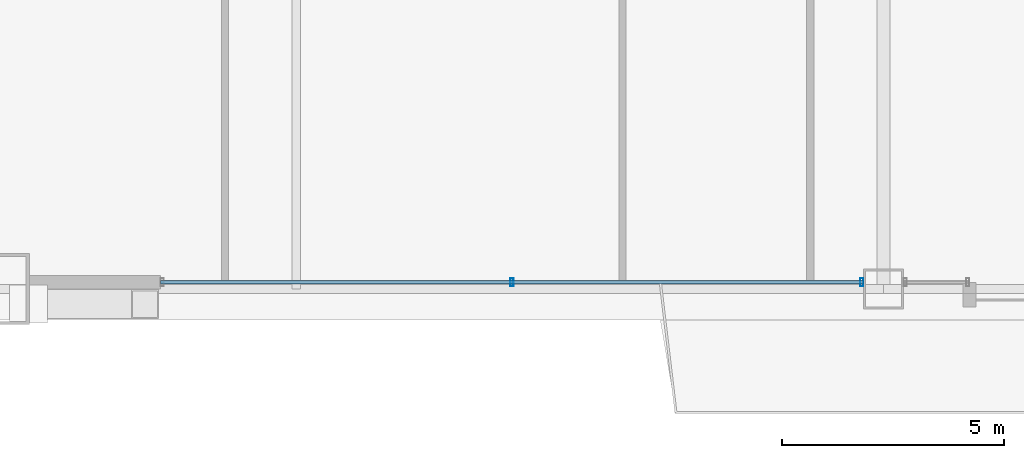
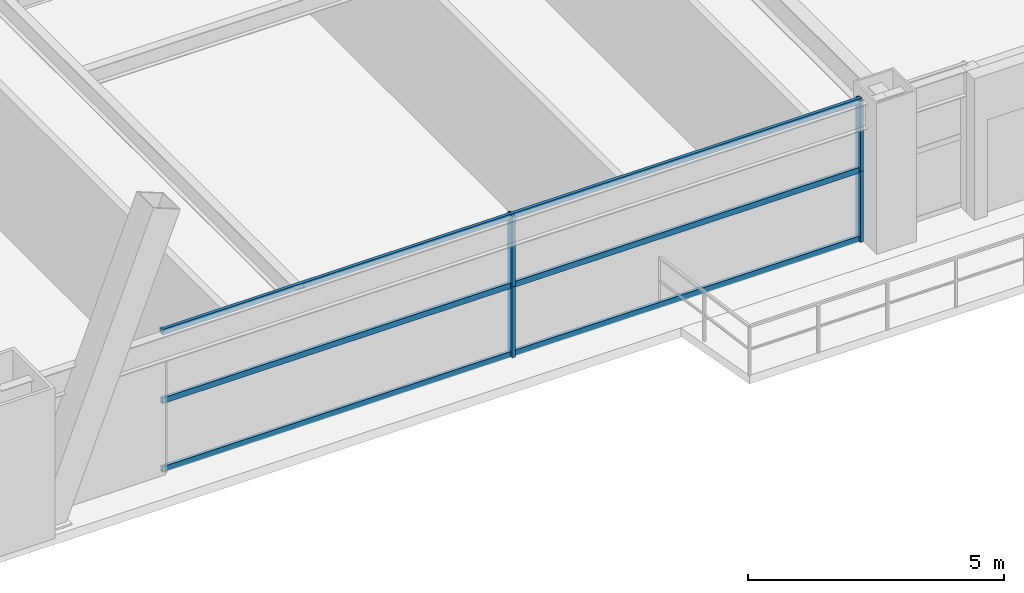
# One storey, part 10 of 42: 7 members, 1 element without a shape of its own.
"""IFC4 building model written with IfcOpenShell, lengths in metres."""

from ifc_helpers import new_model, si_unit, direction, frame, origin, origin_2d, place, context, subcontext, project, spatial, hollow_rectangle, extrude, source, transform, mapped, material, layer, layer_set, material_profile, profile_set, type_object, element, aggregate, save


model = new_model("IFC4")

# Units and contexts
model_context = context("Model", 3, precision=1e-05, world=origin(), true_north=direction((0.0, 1.0)))
body_context = subcontext(model_context, "Body", "Model", "MODEL_VIEW")
ifc_project = project(units=[si_unit("LENGTHUNIT", "METRE"), si_unit("AREAUNIT", "SQUARE_METRE"), si_unit("VOLUMEUNIT", "CUBIC_METRE"), si_unit("PLANEANGLEUNIT", "RADIAN"), si_unit("MASSUNIT", "GRAM", prefix="KILO"), si_unit("THERMODYNAMICTEMPERATUREUNIT", "KELVIN"), si_unit("POWERUNIT", "WATT")], contexts=[model_context])

# Site, building, storey
site_placement = place(None, origin())
site = spatial("IfcSite", under=ifc_project, at=site_placement, CompositionType="ELEMENT")
building_placement = place(site_placement, origin())
building = spatial("IfcBuilding", under=site, at=building_placement, Name="Yuzanri Waterfront Tower", CompositionType="ELEMENT")
storey_placement = place(building_placement, frame((0.0, 0.0, 145.199951171875)))
storey = spatial("IfcBuildingStorey", under=building, at=storey_placement, Name="L38", CompositionType="ELEMENT", Elevation=145.199951171875)

# Curtain wall, members
ifc_material_1 = material(Name="Anodized Architectural Bronze", Category="metal")
ifc_layer = layer(ifc_material_1, 0.159912109375)
ifc_layer_set = layer_set([ifc_layer], Name="Anodized Architectural Bronze")
curtain_wall_type = type_object("IfcCurtainWallType", Name="Anodized Bronze Hotel Upper-Tier Solar-Control Unitized Curtain Wall 7800", PredefinedType="NOTDEFINED", material=ifc_layer_set)
curtain_wall_placement = place(storey_placement, origin())
curtain_wall = element("IfcCurtainWall", 1, at=curtain_wall_placement, inside=storey, type_object=curtain_wall_type, Name="L38 Curtain Wall CW-L38-SL", PredefinedType="NOTDEFINED")
ifc_material_2 = material(Name="Anodized Architectural Bronze", Category="metal")
ifc_material_profile_1 = material_profile(ifc_material_2, hollow_rectangle(XDim=0.070068359375, YDim=0.179931640625, WallThickness=0.00390625, at=origin_2d()), Name="CWM 70x180")
ifc_profile_set_1 = profile_set([ifc_material_profile_1], Name="Anodized Architectural Bronze")
member_type_1 = type_object("IfcMemberType", Name="Anodized Bronze Standard Curtain-Wall Mullion 70x180", PredefinedType="MULLION", material=ifc_profile_set_1)
shared_shape_1 = source(origin(), body_context, "Body", "SweptSolid", [
    extrude(hollow_rectangle(XDim=0.070068359375, YDim=0.179931640625, WallThickness=0.00390625, at=origin_2d()), origin(), (0.0, 0.0, 1.0), 1.68798828125),
])
member_1_placement = place(storey_placement, frame((28.64990234375, 2.35009765625, 0.0), z_axis=(0.0, 0.0, 1.0), x_axis=(1.0, 0.0, 0.0)))
member_1 = element("IfcMember", 2, at=member_1_placement, type_object=member_type_1, Name="CW-L38-SL Lower Mullion 01", PredefinedType="MULLION", context=body_context, shape_type="MappedRepresentation", body=[
    mapped(shared_shape_1, transform((0.0, 0.0, 0.0), scale=1.0)),
])
member_2_placement = place(storey_placement, frame((28.64990234375, 2.35009765625, 1.692138671875), z_axis=(0.0, 0.0, 1.0), x_axis=(1.0, 0.0, 0.0)))
member_2 = element("IfcMember", 3, at=member_2_placement, type_object=member_type_1, Name="CW-L38-SL Upper Mullion 01", PredefinedType="MULLION", context=body_context, shape_type="MappedRepresentation", body=[
    mapped(shared_shape_1, transform((0.0, 0.0, 0.0), scale=1.0)),
])
member_3_placement = place(storey_placement, frame((36.510009765625, 2.35009765625, 0.0), z_axis=(0.0, 0.0, 1.0), x_axis=(1.0, 0.0, 0.0)))
member_3 = element("IfcMember", 4, at=member_3_placement, type_object=member_type_1, Name="CW-L38-SL Lower Mullion 02", PredefinedType="MULLION", context=body_context, shape_type="MappedRepresentation", body=[
    mapped(shared_shape_1, transform((0.0, 0.0, 0.0), scale=1.0)),
])
member_4_placement = place(storey_placement, frame((36.510009765625, 2.35009765625, 1.692138671875), z_axis=(0.0, 0.0, 1.0), x_axis=(1.0, 0.0, 0.0)))
member_4 = element("IfcMember", 5, at=member_4_placement, type_object=member_type_1, Name="CW-L38-SL Upper Mullion 02", PredefinedType="MULLION", context=body_context, shape_type="MappedRepresentation", body=[
    mapped(shared_shape_1, transform((0.0, 0.0, 0.0), scale=1.0)),
])
ifc_material_3 = material(Name="Anodized Architectural Bronze", Category="metal")
ifc_material_profile_2 = material_profile(ifc_material_3, hollow_rectangle(XDim=0.070068359375, YDim=0.135009765625, WallThickness=0.00341796875, at=origin_2d()), Name="CWT 70x135")
ifc_profile_set_2 = profile_set([ifc_material_profile_2], Name="Anodized Architectural Bronze")
member_type_2 = type_object("IfcMemberType", Name="Anodized Bronze Standard Curtain-Wall Transom 70x135", PredefinedType="USERDEFINED", material=ifc_profile_set_2)
shared_shape_2 = source(origin(), body_context, "Body", "SweptSolid", [
    extrude(hollow_rectangle(XDim=0.070068359375, YDim=0.135009765625, WallThickness=0.00341796875, at=origin_2d()), origin(), (0.0, 0.0, 1.0), 15.800048828125),
])
member_5_placement = place(storey_placement, frame((20.75, 2.35009765625, 0.050048828125), z_axis=(1.0, 0.0, 0.0), x_axis=(0.0, 1.0, 0.0)))
member_5 = element("IfcMember", 6, at=member_5_placement, type_object=member_type_2, Name="CW-L38-SL Transom 1", ObjectType="TRANSOM", PredefinedType="USERDEFINED", context=body_context, shape_type="MappedRepresentation", body=[
    mapped(shared_shape_2, transform((0.0, 0.0, 0.0), scale=1.0)),
])
member_6_placement = place(storey_placement, frame((20.75, 2.35009765625, 1.68994140625), z_axis=(1.0, 0.0, 0.0), x_axis=(0.0, 1.0, 0.0)))
member_6 = element("IfcMember", 7, at=member_6_placement, type_object=member_type_2, Name="CW-L38-SL Transom 2", ObjectType="TRANSOM", PredefinedType="USERDEFINED", context=body_context, shape_type="MappedRepresentation", body=[
    mapped(shared_shape_2, transform((0.0, 0.0, 0.0), scale=1.0)),
])
member_7_placement = place(storey_placement, frame((20.75, 2.35009765625, 3.330078125), z_axis=(1.0, 0.0, 0.0), x_axis=(0.0, 1.0, 0.0)))
member_7 = element("IfcMember", 8, at=member_7_placement, type_object=member_type_2, Name="CW-L38-SL Transom 3", ObjectType="TRANSOM", PredefinedType="USERDEFINED", context=body_context, shape_type="MappedRepresentation", body=[
    mapped(shared_shape_2, transform((0.0, 0.0, 0.0), scale=1.0)),
])
aggregate(curtain_wall, [member_1, member_2, member_3, member_4, member_5, member_6, member_7])

save(model, "model.ifc")
